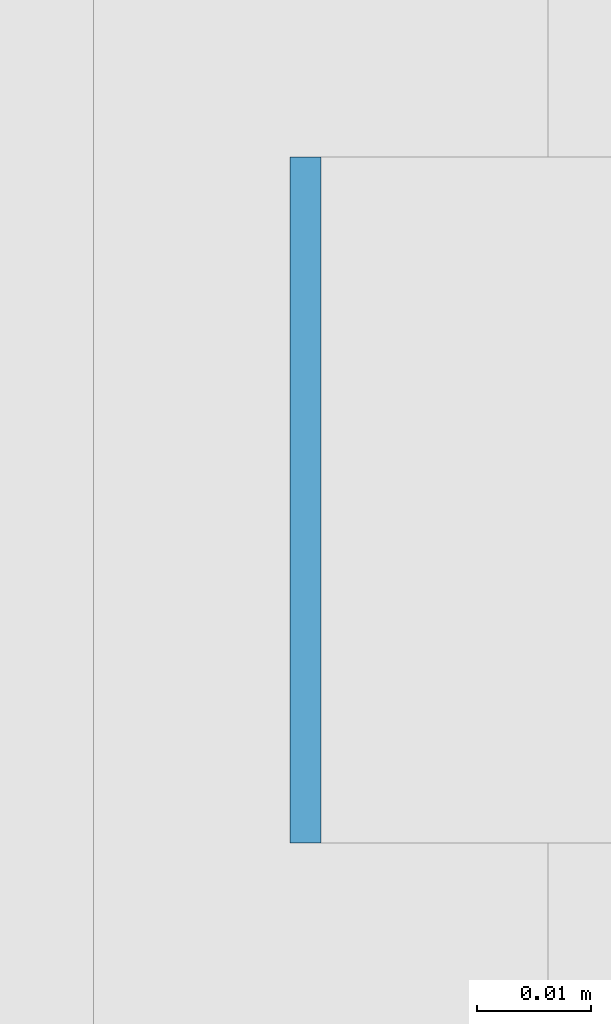
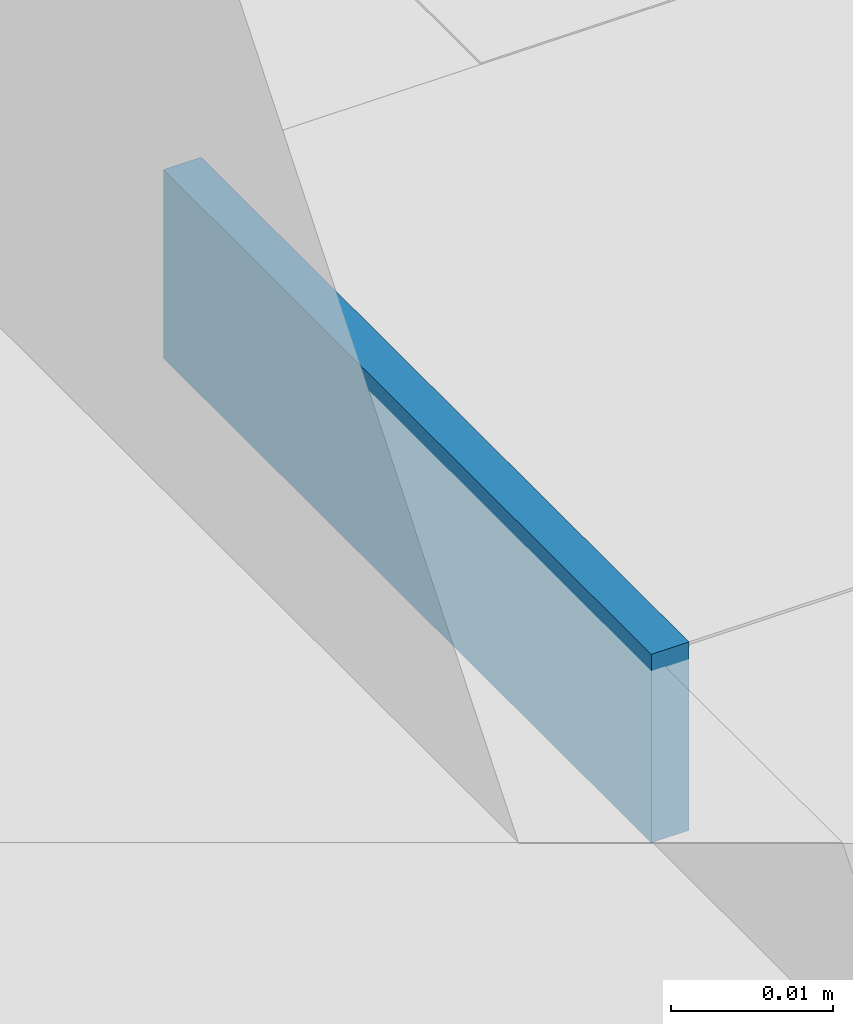
# One storey, part 437 of 646: 1 discrete accessory.
"""IFC4 building model written with IfcOpenShell, lengths in metres."""

from ifc_helpers import new_model, si_unit, direction, frame, origin, origin_2d, place, context, subcontext, project, spatial, rectangle, extrude, material, type_object, element, save


model = new_model("IFC4")

# Units and contexts
model_context = context("Model", 3, precision=1e-05, world=origin(), true_north=direction((0.0, 1.0)))
body_context = subcontext(model_context, "Body", "Model", "MODEL_VIEW")
ifc_project = project(units=[si_unit("LENGTHUNIT", "METRE"), si_unit("AREAUNIT", "SQUARE_METRE"), si_unit("VOLUMEUNIT", "CUBIC_METRE"), si_unit("PLANEANGLEUNIT", "RADIAN"), si_unit("MASSUNIT", "GRAM", prefix="KILO")], contexts=[model_context])

# Site, building, storey
site_placement = place(None, origin())
site = spatial("IfcSite", under=ifc_project, at=site_placement, CompositionType="ELEMENT")
building_placement = place(site_placement, origin())
building = spatial("IfcBuilding", under=site, at=building_placement, Name="Silverbay Arena", CompositionType="ELEMENT")
storey_placement = place(building_placement, frame((0.0, 0.0, 33.5)))
storey = spatial("IfcBuildingStorey", under=building, at=storey_placement, Name="L05", CompositionType="ELEMENT", Elevation=33.5)

# Discrete accessory
ifc_material = material(Name="Steel S355", Category="steel")
discrete_accessory_type = type_object("IfcDiscreteAccessoryType", Name="Steel bracket plate", PredefinedType="BRACKET", material=ifc_material)
discrete_accessory_placement = place(storey_placement, frame((207.128662109375, 31.699951171875, 12.98583984375), z_axis=(0.0, 0.0, 1.0), x_axis=(1.0, 0.0, 0.0)))
element("IfcDiscreteAccessory", 1, at=discrete_accessory_placement, inside=storey, type_object=discrete_accessory_type, Name="Curtain wall packing plate", PredefinedType="BRACKET", context=body_context, shape_type="SweptSolid", body=[
    extrude(rectangle(XDim=0.002685546875, YDim=0.06005859375, at=origin_2d()), origin(), (0.0, 0.0, 1.0), 0.01416015625),
])

save(model, "model.ifc")
